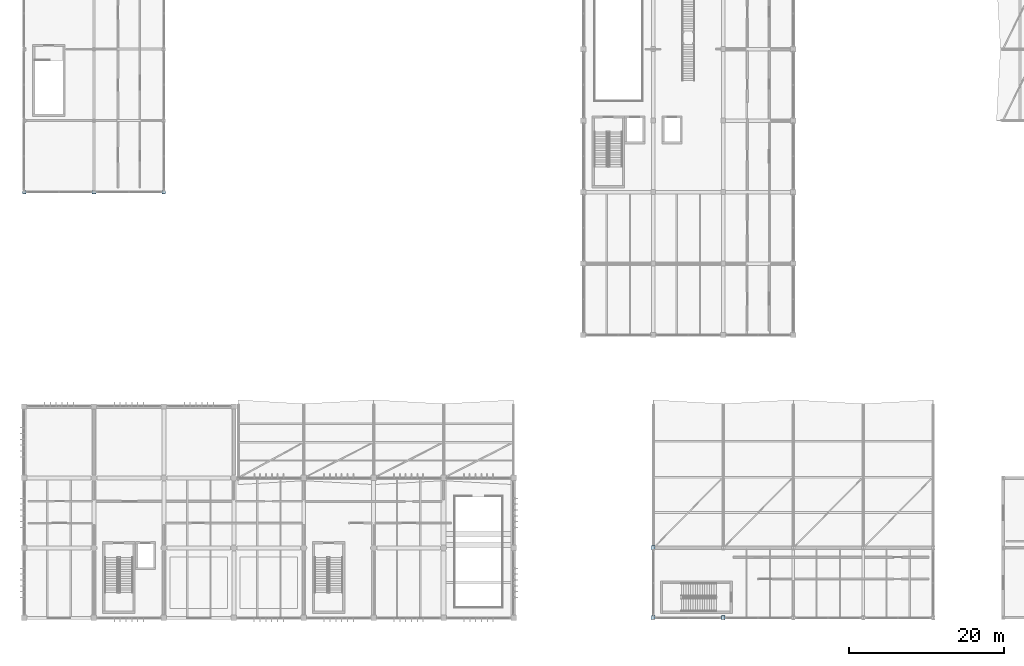
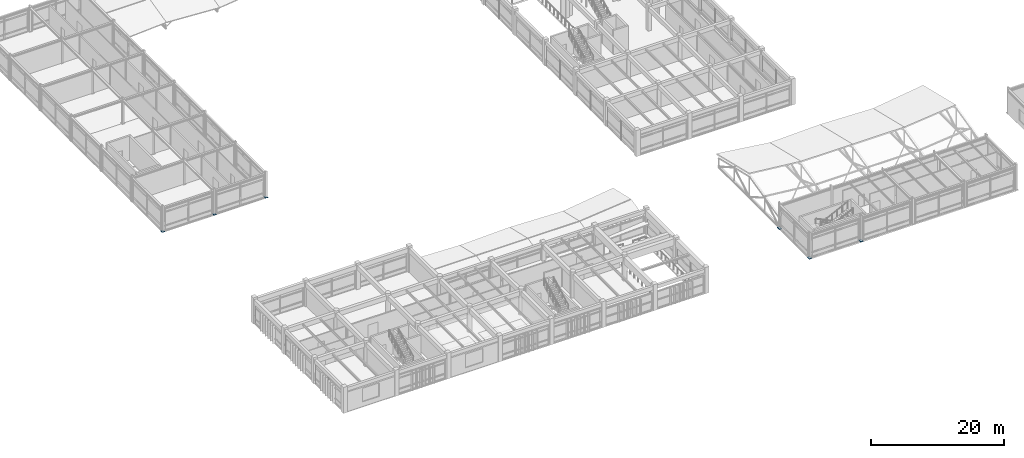
# One storey, part 60 of 90: 6 plates.
"""IFC4 building model written with IfcOpenShell, lengths in metres."""

from ifc_helpers import new_model, si_unit, direction, frame, origin, origin_2d, place, context, subcontext, project, spatial, rectangle, extrude, material, layer, layer_set, type_object, element, save


model = new_model("IFC4")

# Units and contexts
model_context = context("Model", 3, precision=1e-05, world=origin(), true_north=direction((0.0, 1.0)))
body_context = subcontext(model_context, "Body", "Model", "MODEL_VIEW")
ifc_project = project(units=[si_unit("LENGTHUNIT", "METRE"), si_unit("AREAUNIT", "SQUARE_METRE"), si_unit("VOLUMEUNIT", "CUBIC_METRE"), si_unit("PLANEANGLEUNIT", "RADIAN"), si_unit("MASSUNIT", "GRAM", prefix="KILO")], contexts=[model_context])

# Site, building, storey
site_placement = place(None, origin())
site = spatial("IfcSite", under=ifc_project, at=site_placement, CompositionType="ELEMENT")
building_placement = place(site_placement, origin())
building = spatial("IfcBuilding", under=site, at=building_placement, Name="Bozkorgan Art Gallery", CompositionType="ELEMENT")
storey_placement = place(building_placement, frame((0.0, 0.0, 5.39990234375)))
storey = spatial("IfcBuildingStorey", under=building, at=storey_placement, Name="L01", CompositionType="ELEMENT", Elevation=5.39990234375)

# Plates
ifc_material = material(Name="Steel S355J2", Category="steel")
ifc_layer_1 = layer(ifc_material, 0.031982421875, Name="Steel S355J2")
ifc_layer_set_1 = layer_set([ifc_layer_1], Name="Steel S355J2")
plate_type_1 = type_object("IfcPlateType", Name="PLATE-BP-33", PredefinedType="USERDEFINED", material=ifc_layer_set_1)
for number, where, z_axis, x_axis, name in (
    (1, (83.0, 2.0, 0.0), (0.0, 0.0, 1.0), (1.0, 0.0, 0.0), "COL-V3-L01-83-2 base plate"),
    (2, (83.0, 11.0, 0.0), (0.0, 0.0, 1.0), (1.0, 0.0, 0.0), "COL-V3-L01-83-11 base plate"),
    (3, (92.0, 2.0, 0.0), (0.0, 0.0, 1.0), (1.0, 0.0, 0.0), "COL-V3-L01-92-2 base plate"),
):
    element("IfcPlate", number, at=place(storey_placement, frame(where, z_axis=z_axis, x_axis=x_axis)), inside=storey, type_object=plate_type_1, Name=name, ObjectType="END CAP PLATE", PredefinedType="USERDEFINED", context=body_context, shape_type="SweptSolid", body=[
        extrude(rectangle(XDim=0.4599609375, YDim=0.60009765625, at=origin_2d()), origin(), (0.0, 0.0, 1.0), 0.031982421875),
    ])
ifc_layer_2 = layer(ifc_material, 0.031982421875, Name="Steel S355J2")
ifc_layer_set_2 = layer_set([ifc_layer_2], Name="Steel S355J2")
plate_type_2 = type_object("IfcPlateType", Name="PLATE-BP-37", PredefinedType="USERDEFINED", material=ifc_layer_set_2)
for number, where, z_axis, x_axis, name in (
    (4, (2.0, 56.800048828125, 0.0), (0.0, 0.0, 1.0), (1.0, 0.0, 0.0), "COL-V2-L01-2-57 base plate"),
    (5, (11.0, 56.800048828125, 0.0), (0.0, 0.0, 1.0), (1.0, 0.0, 0.0), "COL-V2-L01-11-57 base plate"),
    (6, (20.0, 56.800048828125, 0.0), (0.0, 0.0, 1.0), (1.0, 0.0, 0.0), "COL-V2-L01-20-57 base plate"),
):
    element("IfcPlate", number, at=place(storey_placement, frame(where, z_axis=z_axis, x_axis=x_axis)), inside=storey, type_object=plate_type_2, Name=name, ObjectType="END CAP PLATE", PredefinedType="USERDEFINED", context=body_context, shape_type="SweptSolid", body=[
        extrude(rectangle(XDim=0.4599609375, YDim=0.4599609375, at=origin_2d()), origin(), (0.0, 0.0, 1.0), 0.031982421875),
    ])

save(model, "model.ifc")
